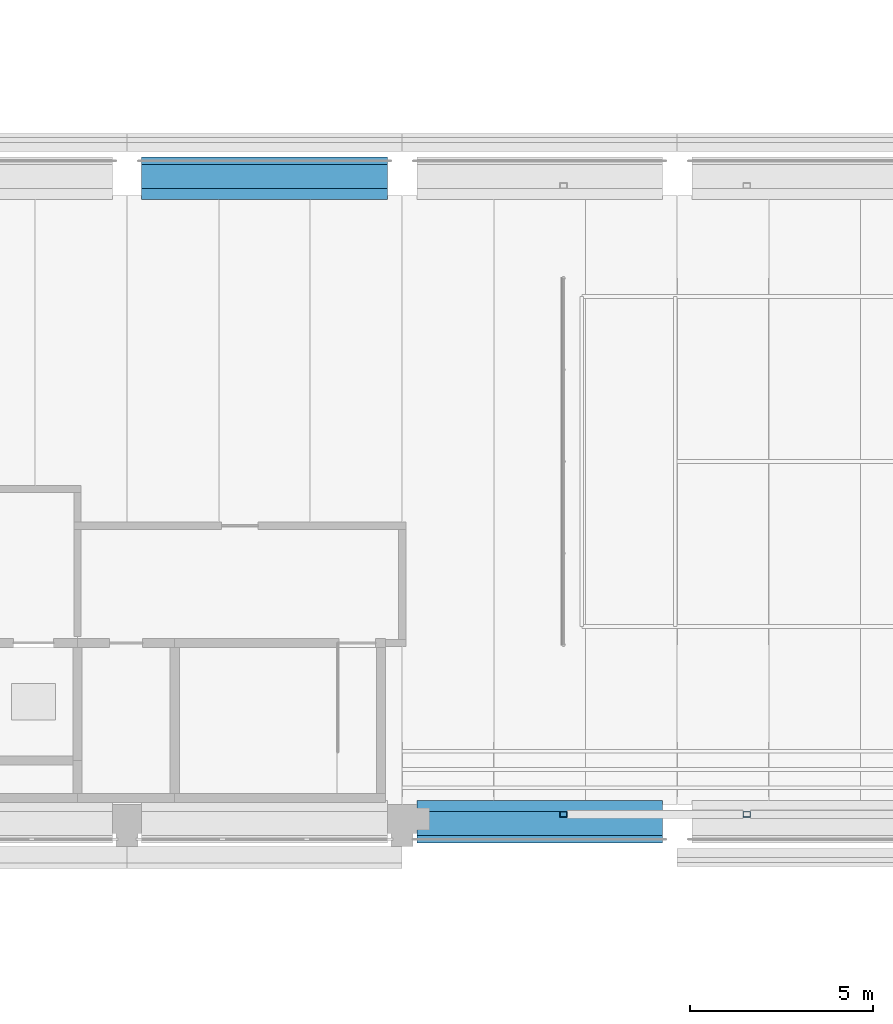
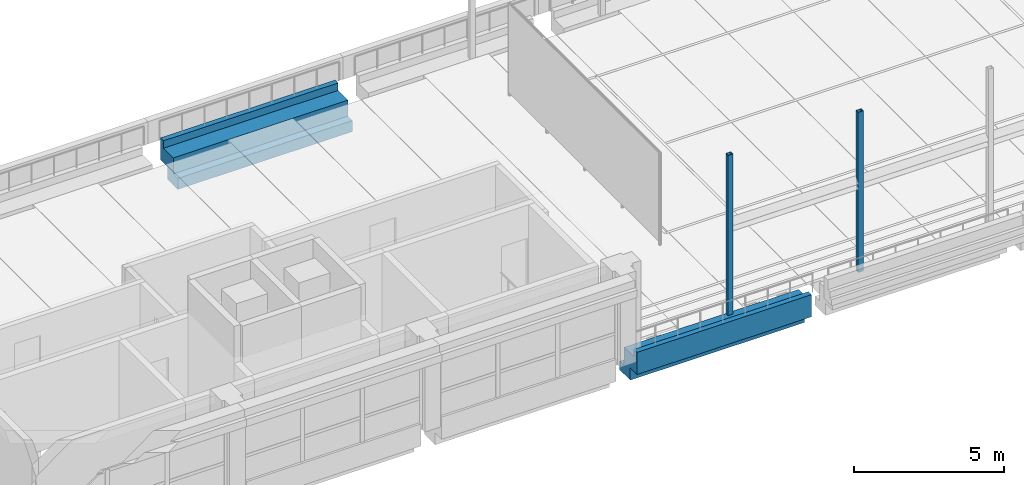
# One storey, part 13 of 62: 2 beams, 2 members.
"""IFC4 building model written with IfcOpenShell, lengths in metres."""

from ifc_helpers import new_model, si_unit, direction, frame, origin, origin_2d, place, context, subcontext, project, spatial, polyline, hollow_rectangle, outline, extrude, material, material_profile, profile_set, type_object, element, save


model = new_model("IFC4")

# Units and contexts
model_context = context("Model", 3, precision=1e-05, world=origin(), true_north=direction((0.0, 1.0)))
body_context = subcontext(model_context, "Body", "Model", "MODEL_VIEW")
ifc_project = project(units=[si_unit("LENGTHUNIT", "METRE"), si_unit("AREAUNIT", "SQUARE_METRE"), si_unit("VOLUMEUNIT", "CUBIC_METRE"), si_unit("PLANEANGLEUNIT", "RADIAN"), si_unit("MASSUNIT", "GRAM", prefix="KILO")], contexts=[model_context])

# Site, building, storey
site_placement = place(None, origin())
site = spatial("IfcSite", under=ifc_project, at=site_placement, CompositionType="ELEMENT")
building_placement = place(site_placement, origin())
building = spatial("IfcBuilding", under=site, at=building_placement, Name="Cour d'Honneur Mobility Palace", CompositionType="ELEMENT")
storey_placement = place(building_placement, frame((0.0, 0.0, 19.300048828125)))
storey = spatial("IfcBuildingStorey", under=building, at=storey_placement, Name="L05", CompositionType="ELEMENT", Elevation=19.300048828125)

# Beams
ifc_material_1 = material(Name="Concrete C45", Category="concrete")
ifc_material_profile_1 = material_profile(ifc_material_1, outline(polyline([(0.5, -1.10009765625), (0.5, -0.75), (0.199951171875, -0.75), (0.199951171875, 0.0), (-0.199951171875, 0.0), (-0.449951171875, 0.0), (-0.449951171875, 0.300048828125), (-0.64990234375, 0.300048828125), (-0.64990234375, -0.60009765625), (-0.199951171875, -0.60009765625), (-0.199951171875, -1.10009765625), (0.5, -1.10009765625)])), Name="Ledger Beam 400x1100 ledge left 350 facade right")
ifc_profile_set_1 = profile_set([ifc_material_profile_1], Name="Concrete C45")
beam_type_1 = type_object("IfcBeamType", Name="Ledger Beam 400x1100 ledge left 350 facade right", PredefinedType="BEAM", material=ifc_profile_set_1)
beam_1_placement = place(storey_placement, frame((92.800048828125, 45.0, 0.0), z_axis=(1.0, 0.0, 0.0), x_axis=(0.0, 1.0, 0.0)))
element("IfcBeam", 1, at=beam_1_placement, inside=storey, type_object=beam_type_1, Name="Precast beam B2 12-13 L05", PredefinedType="BEAM", context=body_context, shape_type="SweptSolid", body=[
    extrude(outline(polyline([(0.5, -1.10009765625), (0.5, -0.75), (0.199951171875, -0.75), (0.199951171875, 0.0), (-0.199951171875, 0.0), (-0.449951171875, 0.0), (-0.449951171875, 0.300048828125), (-0.64990234375, 0.300048828125), (-0.64990234375, -0.60009765625), (-0.199951171875, -0.60009765625), (-0.199951171875, -1.10009765625), (0.5, -1.10009765625)])), origin(), (0.0, 0.0, 1.0), 6.699951171875),
])
ifc_material_2 = material(Name="Concrete C45", Category="concrete")
ifc_material_profile_2 = material_profile(ifc_material_2, outline(polyline([(0.199951171875, -1.10009765625), (0.199951171875, -0.60009765625), (0.64990234375, -0.60009765625), (0.64990234375, 0.300048828125), (0.449951171875, 0.300048828125), (0.449951171875, 0.0), (0.199951171875, 0.0), (-0.199951171875, 0.0), (-0.199951171875, -0.64990234375), (-0.5, -0.64990234375), (-0.5, -1.10009765625), (0.199951171875, -1.10009765625)])), Name="Ledger Beam 400x1100 ledge right 450 facade left")
ifc_profile_set_2 = profile_set([ifc_material_profile_2], Name="Concrete C45")
beam_type_2 = type_object("IfcBeamType", Name="Ledger Beam 400x1100 ledge right 450 facade left", PredefinedType="BEAM", material=ifc_profile_set_2)
beam_2_placement = place(storey_placement, frame((85.300048828125, 62.39990234375, 0.0), z_axis=(1.0, 0.0, 0.0), x_axis=(0.0, 1.0, 0.0)))
element("IfcBeam", 2, at=beam_2_placement, inside=storey, type_object=beam_type_2, Name="Precast beam B5 11-12 L05", PredefinedType="BEAM", context=body_context, shape_type="SweptSolid", body=[
    extrude(outline(polyline([(0.199951171875, -1.10009765625), (0.199951171875, -0.60009765625), (0.64990234375, -0.60009765625), (0.64990234375, 0.300048828125), (0.449951171875, 0.300048828125), (0.449951171875, 0.0), (0.199951171875, 0.0), (-0.199951171875, 0.0), (-0.199951171875, -0.64990234375), (-0.5, -0.64990234375), (-0.5, -1.10009765625), (0.199951171875, -1.10009765625)])), origin(), (0.0, 0.0, 1.0), 6.699951171875),
])

# Members
ifc_material_3 = material(Name="Steel S355", Category="steel")
ifc_material_profile_3 = material_profile(ifc_material_3, hollow_rectangle(XDim=0.14990234375, YDim=0.199951171875, WallThickness=0.008056640625, at=origin_2d()), Name="RHS 200x150x8")
ifc_profile_set_3 = profile_set([ifc_material_profile_3], Name="Steel S355")
member_type = type_object("IfcMemberType", Name="Pergola post RHS 200x150x8", PredefinedType="POST", material=ifc_profile_set_3)
for number, where, z_axis, x_axis, name in (
    (3, (96.800048828125, 45.125, 0.0), (0.0, 0.0, 1.0), (0.0, 1.0, 0.0), "Pergola post PE-S1"),
    (4, (101.800048828125, 45.125, 0.0), (0.0, 0.0, 1.0), (0.0, 1.0, 0.0), "Pergola post PE-S2"),
):
    element("IfcMember", number, at=place(storey_placement, frame(where, z_axis=z_axis, x_axis=x_axis)), inside=storey, type_object=member_type, Name=name, PredefinedType="POST", context=body_context, shape_type="SweptSolid", body=[
        extrude(hollow_rectangle(XDim=0.14990234375, YDim=0.199951171875, WallThickness=0.008056640625, at=origin_2d()), origin(), (0.0, 0.0, 1.0), 6.5),
    ])

save(model, "model.ifc")
